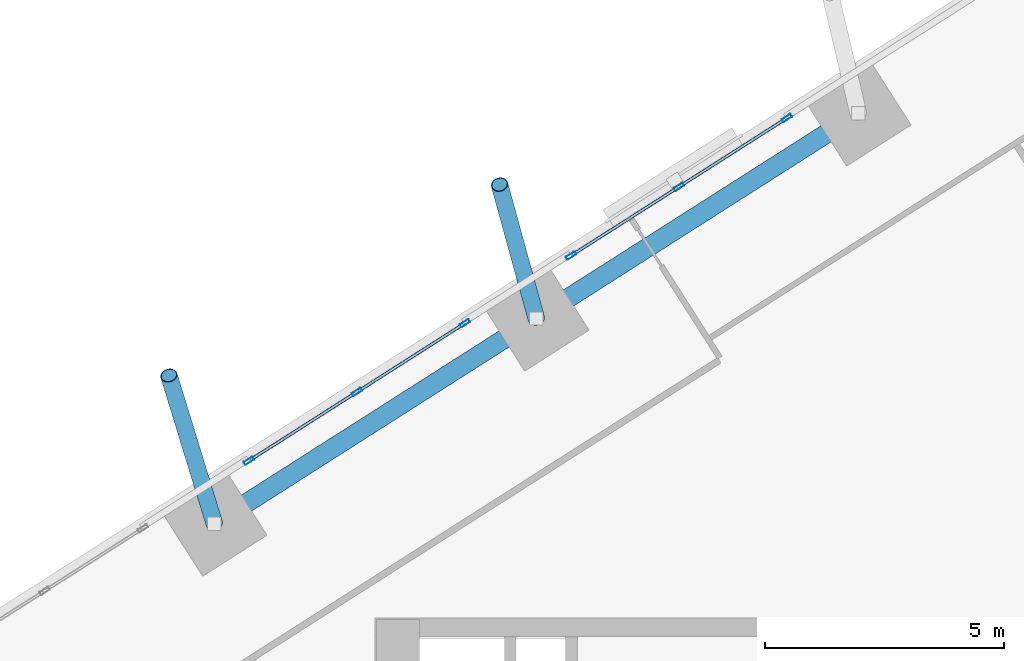
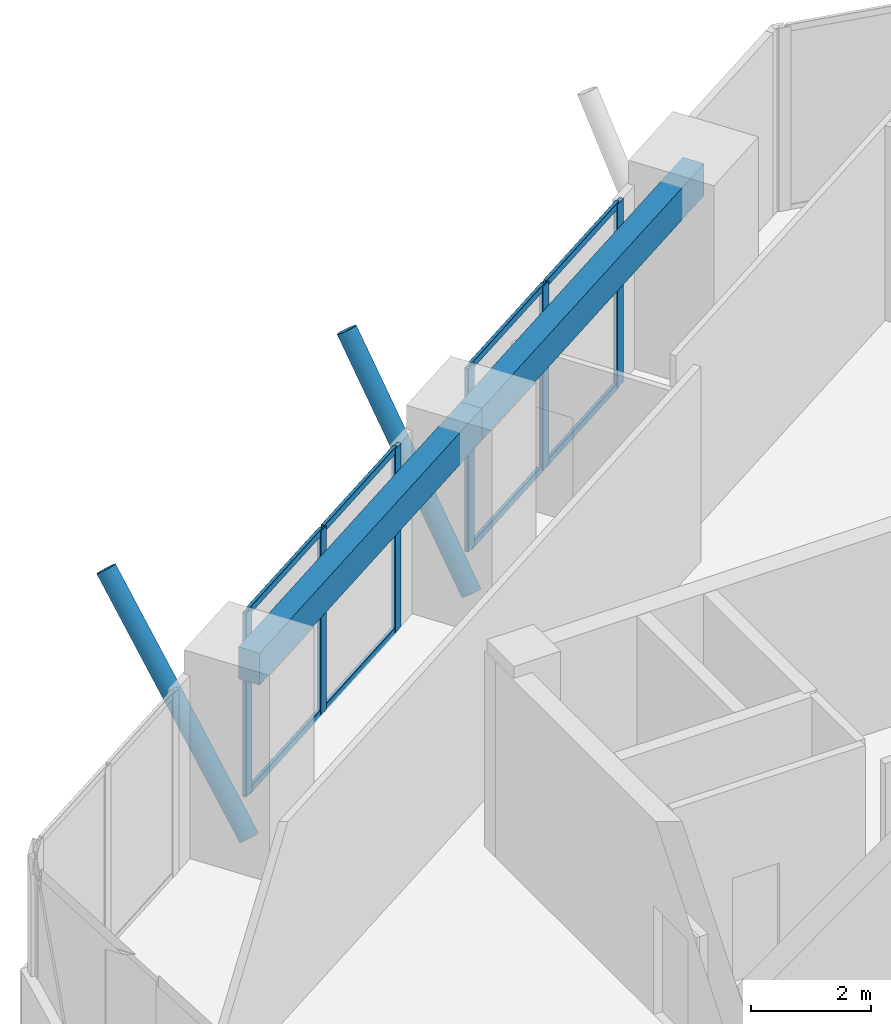
# One storey, part 7 of 14: 16 members, 2 beams, 2 elements without a shape of their own.
"""IFC4 building model written with IfcOpenShell, lengths in metres."""

import ifcopenshell
import ifcopenshell.guid

model = None  # the IFC model being written
_history = None  # IfcOwnerHistory: only IFC2X3 demands one
_inside = {}  # id of a spatial element -> (the spatial element, [elements in it])
_under = {}  # id of a project, library or spatial element -> (it, [spatial elements below it])
_declared = {}  # id of a project -> (the project, [libraries it declares])
_typed = {}  # id of a type object -> (the type object, [elements of that type])
_made_of = {}  # id of a material, layer set ... -> (it, [elements and type objects made of it])


def new_model(schema):
    """Start an empty IFC model of exactly this schema.

    Asked for "IFC4X3", IfcOpenShell would pick the latest addendum, in which some entities
    have other attributes; the version numbers below select the first issue.
    IFC2X3 requires an IfcOwnerHistory on every rooted entity: one is made here for all.
    """
    global model, _history
    if schema == "IFC4X3":
        model = ifcopenshell.file(schema_version=(4, 3, 0, 0))
    else:
        model = ifcopenshell.file(schema=schema)
    _inside.clear()
    _under.clear()
    _declared.clear()
    _typed.clear()
    _made_of.clear()
    _history = None
    if model.schema == "IFC2X3":
        org = make("IfcOrganization", Name="unknown")
        user = make(
            "IfcPersonAndOrganization",
            ThePerson=make("IfcPerson", FamilyName="unknown"),
            TheOrganization=org,
        )
        app = make(
            "IfcApplication",
            ApplicationDeveloper=org,
            Version="unknown",
            ApplicationFullName="unknown",
            ApplicationIdentifier="unknown",
        )
        _history = make(
            "IfcOwnerHistory",
            OwningUser=user,
            OwningApplication=app,
            ChangeAction="ADDED",
            CreationDate=0,
        )
    return model


def make(cls, **values):
    """One entity of the class cls with the attributes given. An attribute that is None is left unset."""
    return model.create_entity(
        cls, **{name: value for name, value in values.items() if value is not None}
    )


def rooted(cls, **values):
    """An entity with a GlobalId (a new one), such as an element, a storey or a relation."""
    return make(cls, GlobalId=ifcopenshell.guid.new(), OwnerHistory=_history, **values)


def si_unit(unit_type, name, prefix=None):
    """IfcSIUnit, for example si_unit("LENGTHUNIT", "METRE", prefix="MILLI")."""
    return make("IfcSIUnit", UnitType=unit_type, Prefix=prefix, Name=name)


def assignment(units):
    """IfcUnitAssignment: the units of a project."""
    return None if units is None else make("IfcUnitAssignment", Units=units)


def point(xyz):
    """IfcCartesianPoint."""
    return None if xyz is None else make("IfcCartesianPoint", Coordinates=xyz)


def direction(xyz):
    """IfcDirection."""
    return None if xyz is None else make("IfcDirection", DirectionRatios=xyz)


def frame(location, z_axis=None, x_axis=None):
    """IfcAxis2Placement3D, a coordinate frame: its origin and axes. An axis left out is left unset."""
    return make(
        "IfcAxis2Placement3D",
        Location=point(location),
        Axis=direction(z_axis),
        RefDirection=direction(x_axis),
    )


def frame_2d(location, x_axis=None):
    """IfcAxis2Placement2D, a coordinate frame in the plane: its origin and x axis."""
    return make(
        "IfcAxis2Placement2D", Location=point(location), RefDirection=direction(x_axis)
    )


def origin():
    """The frame at (0, 0, 0) with its axes left unset."""
    return frame((0.0, 0.0, 0.0))


def origin_2d():
    """The frame at (0, 0) in the plane with its x axis left unset."""
    return frame_2d((0.0, 0.0))


def place(relative_to, where):
    """IfcLocalPlacement: puts the frame where relative to a parent placement (None: the world)."""
    return make(
        "IfcLocalPlacement", PlacementRelTo=relative_to, RelativePlacement=where
    )


def context(
    kind, dimensions, precision=None, world=None, true_north=None, identifier=None
):
    """IfcGeometricRepresentationContext, for example the 3D "Model" context."""
    return make(
        "IfcGeometricRepresentationContext",
        ContextIdentifier=identifier,
        ContextType=kind,
        CoordinateSpaceDimension=dimensions,
        Precision=precision,
        WorldCoordinateSystem=world,
        TrueNorth=true_north,
    )


def subcontext(parent, identifier, kind, view, scale=None):
    """IfcGeometricRepresentationSubContext, for example "Body" below "Model"."""
    return make(
        "IfcGeometricRepresentationSubContext",
        ContextIdentifier=identifier,
        ContextType=kind,
        ParentContext=parent,
        TargetScale=scale,
        TargetView=view,
    )


def project(units=None, contexts=None):
    """IfcProject with its units and contexts."""
    return rooted(
        "IfcProject",
        Name="project",
        RepresentationContexts=contexts,
        UnitsInContext=assignment(units),
    )


def spatial(cls, under=None, at=None, **own):
    """A site, building, storey or space (cls), placed at a placement, below another one or the project."""
    s = rooted(cls, ObjectPlacement=at, **own)
    if under is not None:
        _under.setdefault(under.id(), (under, []))[1].append(s)
    return s


def profile(cls, at=None, kind="AREA", **sizes):
    """A parametric profile (cls). Its sizes go by their IFC names, for example OverallWidth=200.0."""
    return make(cls, ProfileType=kind, Position=at, **sizes)


def rectangle(**sizes):
    """IfcRectangleProfileDef."""
    return profile("IfcRectangleProfileDef", **sizes)


def hollow_rectangle(**sizes):
    """IfcRectangleHollowProfileDef."""
    return profile("IfcRectangleHollowProfileDef", **sizes)


def hollow_circle(**sizes):
    """IfcCircleHollowProfileDef."""
    return profile("IfcCircleHollowProfileDef", **sizes)


def extrude(swept, where, along, depth):
    """IfcExtrudedAreaSolid: the profile swept, set in the frame where, extruded along a direction by depth."""
    return make(
        "IfcExtrudedAreaSolid",
        SweptArea=swept,
        Position=where,
        ExtrudedDirection=direction(along),
        Depth=depth,
    )


def shape(context_of_items, identifier, shape_type, items):
    """IfcShapeRepresentation: the items that make up one representation, for example the "Body"."""
    return make(
        "IfcShapeRepresentation",
        ContextOfItems=context_of_items,
        RepresentationIdentifier=identifier,
        RepresentationType=shape_type,
        Items=items,
    )


def source(mapping_origin, context_of_items, identifier, shape_type, items):
    """IfcRepresentationMap: a shape defined once, which mapped items show again and again."""
    return make(
        "IfcRepresentationMap",
        MappingOrigin=mapping_origin,
        MappedRepresentation=shape(context_of_items, identifier, shape_type, items),
    )


def transform(
    local_origin,
    x_axis=None,
    y_axis=None,
    z_axis=None,
    scale=None,
    scale2=None,
    scale3=None,
    uniform=True,
):
    """IfcCartesianTransformationOperator3D, or its non-uniform kind. x_axis, y_axis, z_axis: its Axis1, 2, 3."""
    if uniform:
        return make(
            "IfcCartesianTransformationOperator3D",
            Axis1=direction(x_axis),
            Axis2=direction(y_axis),
            LocalOrigin=point(local_origin),
            Scale=scale,
            Axis3=direction(z_axis),
        )
    return make(
        "IfcCartesianTransformationOperator3DnonUniform",
        Axis1=direction(x_axis),
        Axis2=direction(y_axis),
        LocalOrigin=point(local_origin),
        Scale=scale,
        Axis3=direction(z_axis),
        Scale2=scale2,
        Scale3=scale3,
    )


def mapped(mapping_source, mapping_target):
    """IfcMappedItem: shows the shape of a source again, moved by a transform."""
    return make(
        "IfcMappedItem", MappingSource=mapping_source, MappingTarget=mapping_target
    )


def material(Name=None, Category=None):
    """IfcMaterial."""
    return make("IfcMaterial", Name=Name, Category=Category)


def material_profile(
    of_material, cross_section, Name=None, Category=None, Priority=None
):
    """IfcMaterialProfile: a cross section and its material."""
    return make(
        "IfcMaterialProfile",
        Name=Name,
        Material=of_material,
        Profile=cross_section,
        Priority=Priority,
        Category=Category,
    )


def profile_set(profiles, Name=None, composite=None):
    """IfcMaterialProfileSet."""
    return make(
        "IfcMaterialProfileSet",
        Name=Name,
        MaterialProfiles=profiles,
        CompositeProfile=composite,
    )


def made_of(thing, what):
    """Note that an element or type object is made of a material, layer set ...; save() writes the relation."""
    if what is not None:
        _made_of.setdefault(what.id(), (what, []))[1].append(thing)
    return thing


def type_object(cls, material=None, **own):
    """A type object (cls), such as IfcWallType, which elements share."""
    return made_of(rooted(cls, **own), material)


def element(
    cls,
    number,
    at=None,
    inside=None,
    cuts=None,
    type_object=None,
    material=None,
    context=None,
    identifier="Body",
    shape_type=None,
    held_by="IfcProductDefinitionShape",
    body=None,
    shapes=None,
    **own,
):
    """One element of the class cls, such as IfcWall. Its Tag is "e" and its number.

    at: its placement. inside: the storey or other place that contains it. cuts: it is an
    opening in that element (IfcRelVoidsElement). A single representation is given by context,
    identifier, shape_type and body (its items); several are given by shapes. held_by: the class
    of the entity that holds the representations. save() writes the other relations.
    """
    e = rooted(cls, Tag="e%d" % number, ObjectPlacement=at, **own)
    if body is not None:
        shapes = [shape(context, identifier, shape_type, body)]
    if shapes is not None:
        e.Representation = make(held_by, Representations=shapes)
    if inside is not None:
        _inside.setdefault(inside.id(), (inside, []))[1].append(e)
    if cuts is not None:
        rooted(
            "IfcRelVoidsElement", RelatingBuildingElement=cuts, RelatedOpeningElement=e
        )
    if type_object is not None:
        _typed.setdefault(type_object.id(), (type_object, []))[1].append(e)
    return made_of(e, material)


def aggregate(whole, parts):
    """IfcRelAggregates: a whole, such as a stair, and the parts it consists of."""
    return rooted("IfcRelAggregates", RelatingObject=whole, RelatedObjects=parts)


def save(model, path):
    """Write the relations noted so far, then the file.

    IfcRelAggregates (storeys below a building ...), IfcRelContainedInSpatialStructure (elements
    in a storey), IfcRelDefinesByType, IfcRelAssociatesMaterial and IfcRelDeclares: one each for
    every whole, place, type object, material and project.
    """
    for whole, parts in _under.values():
        aggregate(whole, parts)
    for where, things in _inside.values():
        rooted(
            "IfcRelContainedInSpatialStructure",
            RelatedElements=things,
            RelatingStructure=where,
        )
    for kind, things in _typed.values():
        rooted("IfcRelDefinesByType", RelatedObjects=things, RelatingType=kind)
    for what, things in _made_of.values():
        rooted("IfcRelAssociatesMaterial", RelatedObjects=things, RelatingMaterial=what)
    for by, libraries in _declared.values():
        rooted("IfcRelDeclares", RelatingContext=by, RelatedDefinitions=libraries)
    model.write(path)


model = new_model("IFC4")

# Units and contexts
model_context = context("Model", 3, precision=1e-05, world=origin(), true_north=direction((0.0, 1.0)))
body_context = subcontext(model_context, "Body", "Model", "MODEL_VIEW")
ifc_project = project(units=[si_unit("LENGTHUNIT", "METRE"), si_unit("AREAUNIT", "SQUARE_METRE"), si_unit("VOLUMEUNIT", "CUBIC_METRE"), si_unit("PLANEANGLEUNIT", "RADIAN"), si_unit("MASSUNIT", "GRAM", prefix="KILO")], contexts=[model_context])

# Site, building, storey
site_placement = place(None, origin())
site = spatial("IfcSite", under=ifc_project, at=site_placement, CompositionType="ELEMENT")
building_placement = place(site_placement, origin())
building = spatial("IfcBuilding", under=site, at=building_placement, Name="Torre Montelarca", CompositionType="ELEMENT")
storey_placement = place(building_placement, frame((0.0, 0.0, 315.60009765625)))
storey = spatial("IfcBuildingStorey", under=building, at=storey_placement, Name="L71", CompositionType="ELEMENT", Elevation=315.60009765625)

# Members
ifc_material_1 = material(Name="Steel ASTM A500 Grade C", Category="steel")
ifc_material_profile_1 = material_profile(ifc_material_1, hollow_circle(Radius=0.177734375, WallThickness=0.015869140625, at=origin_2d()), Name="HSS355.6X15.9", Category="steel")
ifc_profile_set_1 = profile_set([ifc_material_profile_1], Name="Steel ASTM A500 Grade C")
member_type_1 = type_object("IfcMemberType", Name="MB-BR-CHS356-EXT", PredefinedType="BRACE", material=ifc_profile_set_1)
shared_shape_1 = source(origin(), body_context, "Body", "SweptSolid", [
    extrude(hollow_circle(Radius=0.177734375, WallThickness=0.015869140625, at=origin_2d()), origin(), (0.0, 0.0, 1.0), 5.082763671875),
])
member_1_placement = place(storey_placement, frame((5.699462890625, 41.91259765625, 0.14990234375), z_axis=(-0.187425563055, 0.610838258681, 0.769251766358), x_axis=(-0.956009524108, -0.293335626568, 0.0)))
element("IfcMember", 1, at=member_1_placement, inside=storey, type_object=member_type_1, Name="L72 Sliding Tray Exterior Diagonal Raker Strut W1", PredefinedType="BRACE", context=body_context, shape_type="MappedRepresentation", body=[
    mapped(shared_shape_1, transform((0.0, 0.0, 0.0), scale=1.0)),
])
shared_shape_2 = source(origin(), body_context, "Body", "SweptSolid", [
    extrude(hollow_circle(Radius=0.177734375, WallThickness=0.015869140625, at=origin_2d()), origin(), (0.0, 0.0, 1.0), 4.8740234375),
])
member_2_placement = place(storey_placement, frame((12.446533203125, 46.211181640625, 0.14990234375), z_axis=(-0.158281623628, 0.575724361385, 0.80217727924), x_axis=(-0.964223620971, -0.265090189862, 0.0)))
element("IfcMember", 2, at=member_2_placement, inside=storey, type_object=member_type_1, Name="L72 Sliding Tray Exterior Diagonal Raker Strut W2", PredefinedType="BRACE", context=body_context, shape_type="MappedRepresentation", body=[
    mapped(shared_shape_2, transform((0.0, 0.0, 0.0), scale=1.0)),
])

# Beams
ifc_material_2 = material(Name="Concrete C40/50", Category="concrete")
ifc_material_profile_2 = material_profile(ifc_material_2, rectangle(XDim=0.39990234375, YDim=0.64990234375, at=origin_2d()), Name="RCB400X650", Category="concrete")
ifc_profile_set_2 = profile_set([ifc_material_profile_2], Name="Concrete C40/50")
beam_type = type_object("IfcBeamType", Name="BM-SP-RC650-EXT", PredefinedType="SPANDREL", material=ifc_profile_set_2)
shared_shape_3 = source(origin(), body_context, "Body", "SweptSolid", [
    extrude(rectangle(XDim=0.39990234375, YDim=0.64990234375, at=origin_2d()), origin(), (0.0, 0.0, 1.0), 8.0),
])
for number, where, z_axis, x_axis, name in (
    (3, (5.699462890625, 41.91259765625, 3.635009765625), (0.843378636084, 0.537319715065, 0.0), (-0.537319715065, 0.843378636084, 0.0), "L71 Grid Girder Y 24.0-32.0 at X=4.7"),
    (4, (12.446533203125, 46.211181640625, 3.635009765625), (0.843392465414, 0.537298007891, 0.0), (-0.537298007891, 0.843392465414, 0.0), "L71 Grid Girder Y 32.0-40.0 at X=4.7"),
):
    element("IfcBeam", number, at=place(storey_placement, frame(where, z_axis=z_axis, x_axis=x_axis)), inside=storey, type_object=beam_type, Name=name, PredefinedType="SPANDREL", context=body_context, shape_type="MappedRepresentation", body=[
        mapped(shared_shape_3, transform((0.0, 0.0, 0.0), scale=1.0)),
    ])

# Curtain wall, members
ifc_material_3 = material(Name="Insulated low-E laminated glass", Category="glass")
curtain_wall_type = type_object("IfcCurtainWallType", Name="CW-SYS-Z4", PredefinedType="USERDEFINED", material=ifc_material_3)
curtain_wall_1_placement = place(storey_placement, origin())
curtain_wall_1 = element("IfcCurtainWall", 5, at=curtain_wall_1_placement, inside=storey, type_object=curtain_wall_type, Name="L71 Curtain Wall Run CW-T3-L71-E10-B1", ObjectType="UNITISED GLAZING", PredefinedType="USERDEFINED")
ifc_material_4 = material(Name="Anodised aluminium AA 6063-T6", Category="aluminium")
ifc_material_profile_3 = material_profile(ifc_material_4, hollow_rectangle(XDim=0.074951171875, YDim=0.219970703125, WallThickness=0.0048828125, InnerFilletRadius=0.0048828125, OuterFilletRadius=0.010009765625, at=origin_2d()), Name="ALU75X220X5", Category="aluminium")
ifc_profile_set_3 = profile_set([ifc_material_profile_3], Name="Anodised aluminium AA 6063-T6")
member_type_2 = type_object("IfcMemberType", Name="CWM-ALU220", PredefinedType="MULLION", material=ifc_profile_set_3)
shared_shape_4 = source(origin(), body_context, "Body", "SweptSolid", [
    extrude(hollow_rectangle(XDim=0.074951171875, YDim=0.219970703125, WallThickness=0.0048828125, InnerFilletRadius=0.0048828125, OuterFilletRadius=0.010009765625, at=origin_2d()), origin(), (0.0, 0.0, 1.0), 3.719970703125),
])
member_3_placement = place(storey_placement, frame((17.695556640625, 50.408935546875, 0.0), z_axis=(0.0, 0.0, 1.0), x_axis=(0.537302438359, -0.84338964289, 0.0)))
member_3 = element("IfcMember", 6, at=member_3_placement, type_object=member_type_2, Name="CW mullion 1", PredefinedType="MULLION", context=body_context, shape_type="MappedRepresentation", body=[
    mapped(shared_shape_4, transform((0.0, 0.0, 0.0), scale=1.0)),
])
member_4_placement = place(storey_placement, frame((15.43310546875, 48.967529296875, 0.0), z_axis=(0.0, 0.0, 1.0), x_axis=(0.537302438359, -0.84338964289, 0.0)))
member_4 = element("IfcMember", 7, at=member_4_placement, type_object=member_type_2, Name="CW mullion 2", PredefinedType="MULLION", context=body_context, shape_type="MappedRepresentation", body=[
    mapped(shared_shape_4, transform((0.0, 0.0, 0.0), scale=1.0)),
])
member_5_placement = place(storey_placement, frame((13.1708984375, 47.5263671875, 0.0), z_axis=(0.0, 0.0, 1.0), x_axis=(0.537302438359, -0.84338964289, 0.0)))
member_5 = element("IfcMember", 8, at=member_5_placement, type_object=member_type_2, Name="CW mullion 3", PredefinedType="MULLION", context=body_context, shape_type="MappedRepresentation", body=[
    mapped(shared_shape_4, transform((0.0, 0.0, 0.0), scale=1.0)),
])

curtain_wall_2_placement = place(storey_placement, origin())
curtain_wall_2 = element("IfcCurtainWall", 9, at=curtain_wall_2_placement, inside=storey, type_object=curtain_wall_type, Name="L71 Curtain Wall Run CW-T3-L71-E10-B2", ObjectType="UNITISED GLAZING", PredefinedType="USERDEFINED")
member_6_placement = place(storey_placement, frame((10.948486328125, 46.1103515625, 0.0), z_axis=(0.0, 0.0, 1.0), x_axis=(0.537302438359, -0.84338964289, 0.0)))
member_6 = element("IfcMember", 10, at=member_6_placement, type_object=member_type_2, Name="CW mullion 1", PredefinedType="MULLION", context=body_context, shape_type="MappedRepresentation", body=[
    mapped(shared_shape_4, transform((0.0, 0.0, 0.0), scale=1.0)),
])
member_7_placement = place(storey_placement, frame((8.68603515625, 44.669189453125, 0.0), z_axis=(0.0, 0.0, 1.0), x_axis=(0.537302438359, -0.84338964289, 0.0)))
member_7 = element("IfcMember", 11, at=member_7_placement, type_object=member_type_2, Name="CW mullion 2", PredefinedType="MULLION", context=body_context, shape_type="MappedRepresentation", body=[
    mapped(shared_shape_4, transform((0.0, 0.0, 0.0), scale=1.0)),
])
member_8_placement = place(storey_placement, frame((6.423828125, 43.227783203125, 0.0), z_axis=(0.0, 0.0, 1.0), x_axis=(0.537302438359, -0.84338964289, 0.0)))
member_8 = element("IfcMember", 12, at=member_8_placement, type_object=member_type_2, Name="CW mullion 3", PredefinedType="MULLION", context=body_context, shape_type="MappedRepresentation", body=[
    mapped(shared_shape_4, transform((0.0, 0.0, 0.0), scale=1.0)),
])

# Member
ifc_material_profile_4 = material_profile(ifc_material_4, hollow_rectangle(XDim=0.06494140625, YDim=0.139892578125, WallThickness=0.00390625, InnerFilletRadius=0.00390625, OuterFilletRadius=0.008056640625, at=origin_2d()), Name="ALU65X140X4", Category="aluminium")
ifc_profile_set_4 = profile_set([ifc_material_profile_4], Name="Anodised aluminium AA 6063-T6")
member_type_3 = type_object("IfcMemberType", Name="CWT-ALU140", PredefinedType="USERDEFINED", material=ifc_profile_set_4)
shared_shape_5 = source(origin(), body_context, "Body", "SweptSolid", [
    extrude(hollow_rectangle(XDim=0.06494140625, YDim=0.139892578125, WallThickness=0.00390625, InnerFilletRadius=0.00390625, OuterFilletRadius=0.008056640625, at=origin_2d()), origin(), (0.0, 0.0, 1.0), 2.607421875),
])
member_9_placement = place(storey_placement, frame((17.6640625, 50.388671875, 0.032470703125), z_axis=(-0.843422371286, -0.537251061994, 0.0), x_axis=(0.537251061994, -0.843422371286, 0.0)))
member_9 = element("IfcMember", 13, at=member_9_placement, type_object=member_type_3, Name="CW transom 1.1", ObjectType="TRANSOM", PredefinedType="USERDEFINED", context=body_context, shape_type="MappedRepresentation", body=[
    mapped(shared_shape_5, transform((0.0, 0.0, 0.0), scale=1.0)),
])

member_10_placement = place(storey_placement, frame((17.6640625, 50.388671875, 3.6875), z_axis=(-0.843422371286, -0.537251061994, 0.0), x_axis=(0.537251061994, -0.843422371286, 0.0)))
member_10 = element("IfcMember", 14, at=member_10_placement, type_object=member_type_3, Name="CW transom 1.2", ObjectType="TRANSOM", PredefinedType="USERDEFINED", context=body_context, shape_type="MappedRepresentation", body=[
    mapped(shared_shape_5, transform((0.0, 0.0, 0.0), scale=1.0)),
])

member_11_placement = place(storey_placement, frame((10.916748046875, 46.09033203125, 0.032470703125), z_axis=(-0.843352910211, -0.537360092339, 0.0), x_axis=(0.537360092339, -0.843352910211, 0.0)))
member_11 = element("IfcMember", 15, at=member_11_placement, type_object=member_type_3, Name="CW transom 1.1", ObjectType="TRANSOM", PredefinedType="USERDEFINED", context=body_context, shape_type="MappedRepresentation", body=[
    mapped(shared_shape_5, transform((0.0, 0.0, 0.0), scale=1.0)),
])

member_12_placement = place(storey_placement, frame((10.916748046875, 46.09033203125, 3.6875), z_axis=(-0.843352910211, -0.537360092339, 0.0), x_axis=(0.537360092339, -0.843352910211, 0.0)))
member_12 = element("IfcMember", 16, at=member_12_placement, type_object=member_type_3, Name="CW transom 1.2", ObjectType="TRANSOM", PredefinedType="USERDEFINED", context=body_context, shape_type="MappedRepresentation", body=[
    mapped(shared_shape_5, transform((0.0, 0.0, 0.0), scale=1.0)),
])

member_13_placement = place(storey_placement, frame((8.654541015625, 44.64892578125, 0.032470703125), z_axis=(-0.843422371286, -0.537251061994, 0.0), x_axis=(0.537251061994, -0.843422371286, 0.0)))
member_13 = element("IfcMember", 17, at=member_13_placement, type_object=member_type_3, Name="CW transom 2.1", ObjectType="TRANSOM", PredefinedType="USERDEFINED", context=body_context, shape_type="MappedRepresentation", body=[
    mapped(shared_shape_5, transform((0.0, 0.0, 0.0), scale=1.0)),
])

member_14_placement = place(storey_placement, frame((8.654541015625, 44.64892578125, 3.6875), z_axis=(-0.843422371286, -0.537251061994, 0.0), x_axis=(0.537251061994, -0.843422371286, 0.0)))
member_14 = element("IfcMember", 18, at=member_14_placement, type_object=member_type_3, Name="CW transom 2.2", ObjectType="TRANSOM", PredefinedType="USERDEFINED", context=body_context, shape_type="MappedRepresentation", body=[
    mapped(shared_shape_5, transform((0.0, 0.0, 0.0), scale=1.0)),
])

aggregate(curtain_wall_2, [member_6, member_7, member_8, member_11, member_12, member_13, member_14])

shared_shape_6 = source(origin(), body_context, "Body", "SweptSolid", [
    extrude(hollow_rectangle(XDim=0.06494140625, YDim=0.139892578125, WallThickness=0.00390625, InnerFilletRadius=0.00390625, OuterFilletRadius=0.008056640625, at=origin_2d()), origin(), (0.0, 0.0, 1.0), 2.607666015625),
])
member_15_placement = place(storey_placement, frame((15.401611328125, 48.947509765625, 0.032470703125), z_axis=(-0.843379944102, -0.53731766199, 0.0), x_axis=(0.53731766199, -0.843379944102, 0.0)))
member_15 = element("IfcMember", 19, at=member_15_placement, type_object=member_type_3, Name="CW transom 2.1", ObjectType="TRANSOM", PredefinedType="USERDEFINED", context=body_context, shape_type="MappedRepresentation", body=[
    mapped(shared_shape_6, transform((0.0, 0.0, 0.0), scale=1.0)),
])

member_16_placement = place(storey_placement, frame((15.401611328125, 48.947509765625, 3.6875), z_axis=(-0.843379944102, -0.53731766199, 0.0), x_axis=(0.53731766199, -0.843379944102, 0.0)))
member_16 = element("IfcMember", 20, at=member_16_placement, type_object=member_type_3, Name="CW transom 2.2", ObjectType="TRANSOM", PredefinedType="USERDEFINED", context=body_context, shape_type="MappedRepresentation", body=[
    mapped(shared_shape_6, transform((0.0, 0.0, 0.0), scale=1.0)),
])

aggregate(curtain_wall_1, [member_3, member_4, member_5, member_9, member_10, member_15, member_16])

save(model, "model.ifc")
